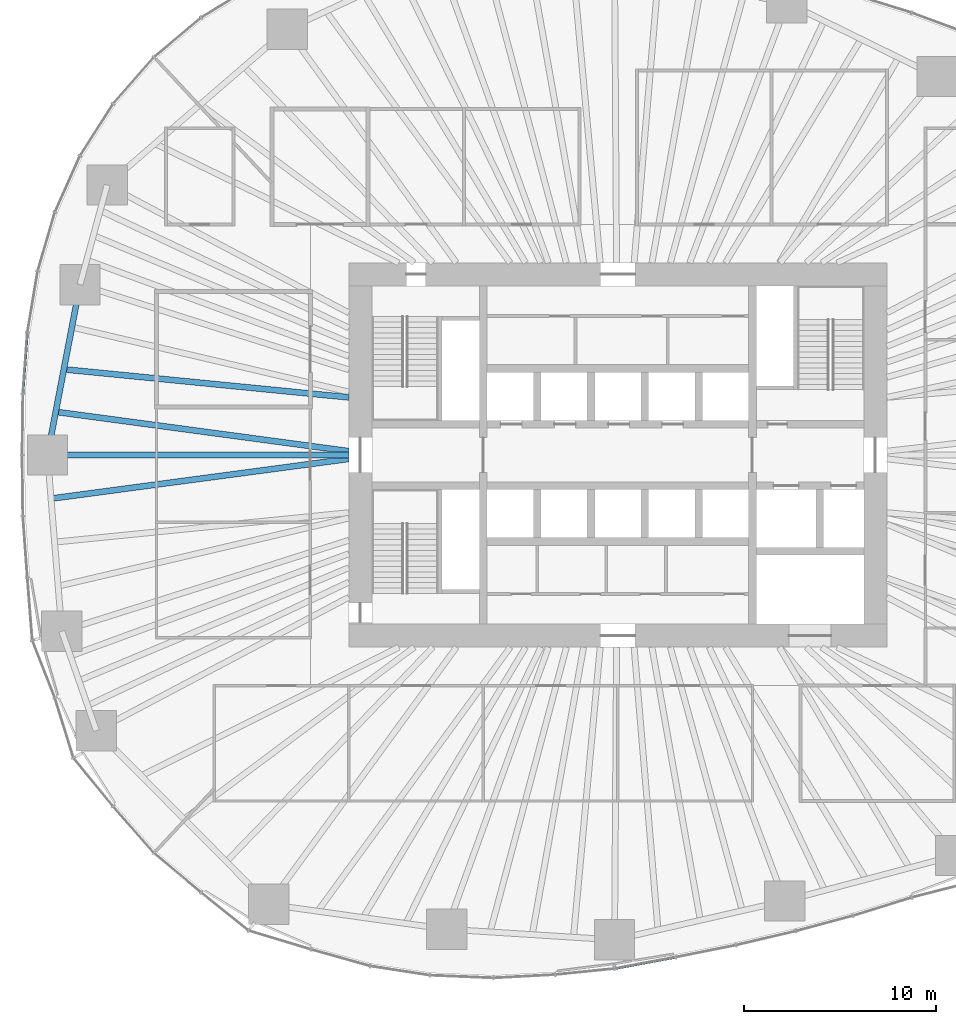
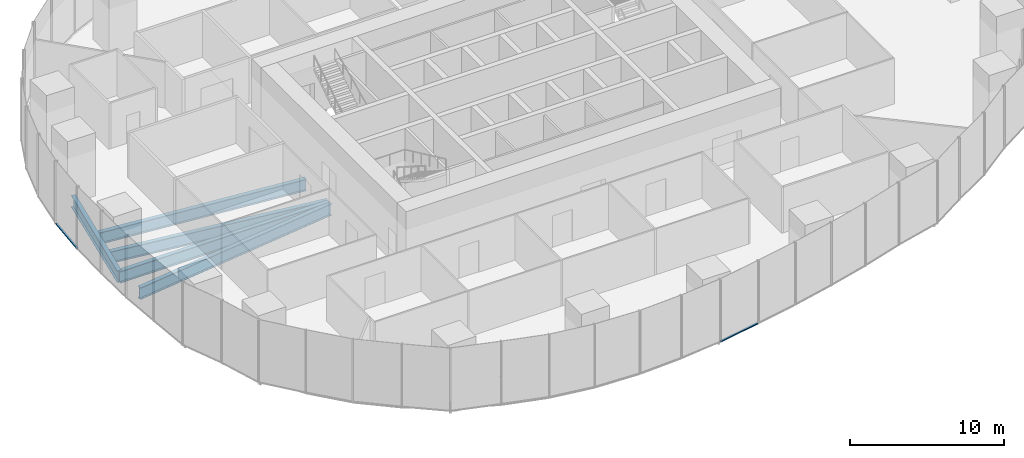
# One storey, part 3 of 20: 5 beams, 2 members, 2 elements without a shape of their own.
"""IFC4 building model written with IfcOpenShell, lengths in metres."""

from ifc_helpers import new_model, si_unit, direction, frame, origin, origin_2d, place, context, subcontext, project, spatial, rectangle, i_section, extrude, material, material_profile, profile_set, type_object, element, aggregate, save


model = new_model("IFC4")

# Units and contexts
model_context = context("Model", 3, precision=1e-05, world=origin(), true_north=direction((0.0, 1.0)))
body_context = subcontext(model_context, "Body", "Model", "MODEL_VIEW")
ifc_project = project(units=[si_unit("LENGTHUNIT", "METRE"), si_unit("AREAUNIT", "SQUARE_METRE"), si_unit("VOLUMEUNIT", "CUBIC_METRE"), si_unit("PLANEANGLEUNIT", "RADIAN"), si_unit("MASSUNIT", "GRAM", prefix="KILO")], contexts=[model_context])

# Site, building, storey
site_placement = place(None, origin())
site = spatial("IfcSite", under=ifc_project, at=site_placement, CompositionType="ELEMENT")
building_placement = place(site_placement, origin())
building = spatial("IfcBuilding", under=site, at=building_placement, Name="Ghaith Harvest Tower", CompositionType="ELEMENT")
storey_placement = place(building_placement, frame((0.0, 0.0, 45.0)))
storey = spatial("IfcBuildingStorey", under=building, at=storey_placement, Name="L09", CompositionType="ELEMENT", Elevation=45.0)

# Curtain wall, member
ifc_material_1 = material(Name="Black anodised aluminium and fritted glass", Category="aluminium")
curtain_wall_type = type_object("IfcCurtainWallType", Name="CW-F CURTAIN WALL", PredefinedType="NOTDEFINED", material=ifc_material_1)
curtain_wall_1_placement = place(storey_placement, origin())
curtain_wall_1 = element("IfcCurtainWall", 1, at=curtain_wall_1_placement, inside=storey, type_object=curtain_wall_type, Name="Curtain wall CW-F bay 10 L09", PredefinedType="NOTDEFINED")
ifc_material_2 = material(Name="Aluminium, black anodised", Category="aluminium")
ifc_material_profile_1 = material_profile(ifc_material_2, rectangle(XDim=0.139892578125, YDim=0.080078125, at=origin_2d()), Name="CW-F TRANSOM 140x80")
ifc_profile_set_1 = profile_set([ifc_material_profile_1], Name="Aluminium, black anodised")
member_type = type_object("IfcMemberType", Name="CW-F TRANSOM 140x80", PredefinedType="USERDEFINED", material=ifc_profile_set_1)
member_1_placement = place(storey_placement, frame((-30.72705078125, 6.335693359375, 0.0400390625), z_axis=(-0.072473547161, -0.997370334912, 0.0), x_axis=(0.997370334912, -0.072473547161, 0.0)))
member_1 = element("IfcMember", 2, at=member_1_placement, type_object=member_type, Name="CW-F transom 2 bay 10 L09", ObjectType="TRANSOM", PredefinedType="USERDEFINED", context=body_context, shape_type="SweptSolid", body=[
    extrude(rectangle(XDim=0.139892578125, YDim=0.080078125, at=origin_2d()), origin(), (0.0, 0.0, 1.0), 3.126220703125),
])
aggregate(curtain_wall_1, [member_1])

curtain_wall_2_placement = place(storey_placement, origin())
curtain_wall_2 = element("IfcCurtainWall", 3, at=curtain_wall_2_placement, inside=storey, type_object=curtain_wall_type, Name="Curtain wall CW-F bay 16 L09", PredefinedType="NOTDEFINED")
member_2_placement = place(storey_placement, frame((-0.1435546875, -26.709716796875, 0.0400390625), z_axis=(0.983139075124, 0.182859396706, 0.0), x_axis=(-0.182859396706, 0.983139075124, 0.0)))
member_2 = element("IfcMember", 4, at=member_2_placement, type_object=member_type, Name="CW-F transom 1 bay 16 L09", ObjectType="TRANSOM", PredefinedType="USERDEFINED", context=body_context, shape_type="SweptSolid", body=[
    extrude(rectangle(XDim=0.139892578125, YDim=0.080078125, at=origin_2d()), origin(), (0.0, 0.0, 1.0), 3.1669921875),
])
aggregate(curtain_wall_2, [member_2])

# Beams
ifc_material_3 = material(Name="Steel ASTM A992 Grade 50", Category="steel")
ifc_material_profile_2 = material_profile(ifc_material_3, i_section(OverallWidth=0.306884765625, OverallDepth=0.94189453125, WebThickness=0.022216796875, FlangeThickness=0.039794921875, at=origin_2d()), Name="W920X345")
ifc_profile_set_2 = profile_set([ifc_material_profile_2], Name="Steel ASTM A992 Grade 50")
beam_type_1 = type_object("IfcBeamType", Name="E920-345 W920X345", PredefinedType="SPANDREL", material=ifc_profile_set_2)
beam_1_placement = place(storey_placement, frame((-27.98291015625, 8.867919921875, -0.6708984375), z_axis=(-0.187433949108, -0.982277208695, 0.0), x_axis=(0.982277208695, -0.187433949108, 0.0)))
element("IfcBeam", 5, at=beam_1_placement, inside=storey, type_object=beam_type_1, Name="Edge beam E10 L09", PredefinedType="SPANDREL", context=body_context, shape_type="SweptSolid", body=[
    extrude(i_section(OverallWidth=0.306884765625, OverallDepth=0.94189453125, WebThickness=0.022216796875, FlangeThickness=0.039794921875, at=origin_2d()), origin(), (0.0, 0.0, 1.0), 9.02783203125),
])
ifc_material_4 = material(Name="Steel ASTM A992 Grade 50", Category="steel")
ifc_material_profile_3 = material_profile(ifc_material_4, i_section(OverallWidth=0.306884765625, OverallDepth=0.94189453125, WebThickness=0.022216796875, FlangeThickness=0.039794921875, at=origin_2d()), Name="W920X345")
ifc_profile_set_3 = profile_set([ifc_material_profile_3], Name="Steel ASTM A992 Grade 50")
beam_type_2 = type_object("IfcBeamType", Name="G920-345 W920X345", PredefinedType="BEAM", material=ifc_profile_set_3)
beam_2_placement = place(storey_placement, frame((-14.0, 0.0, -0.6708984375), z_axis=(-1.0, 0.0, 0.0), x_axis=(0.0, -1.0, 0.0)))
element("IfcBeam", 6, at=beam_2_placement, inside=storey, type_object=beam_type_2, Name="Radial girder G11 L09", PredefinedType="BEAM", context=body_context, shape_type="SweptSolid", body=[
    extrude(i_section(OverallWidth=0.306884765625, OverallDepth=0.94189453125, WebThickness=0.022216796875, FlangeThickness=0.039794921875, at=origin_2d()), origin(), (0.0, 0.0, 1.0), 15.675048828125),
])
ifc_material_5 = material(Name="Steel ASTM A992 Grade 50", Category="steel")
ifc_material_profile_4 = material_profile(ifc_material_5, i_section(OverallWidth=0.31005859375, OverallDepth=0.927001953125, WebThickness=0.019287109375, FlangeThickness=0.031982421875, at=origin_2d()), Name="W920X289")
ifc_profile_set_4 = profile_set([ifc_material_profile_4], Name="Steel ASTM A992 Grade 50")
beam_type_3 = type_object("IfcBeamType", Name="J920-289 W920X289", PredefinedType="JOIST", material=ifc_profile_set_4)
beam_3_placement = place(storey_placement, frame((-14.0, 3.0, -0.66357421875), z_axis=(-0.995196704135, 0.097895454848, 0.0), x_axis=(-0.097895454848, -0.995196704135, 0.0)))
element("IfcBeam", 7, at=beam_3_placement, inside=storey, type_object=beam_type_3, Name="Joist J10.2 L09", PredefinedType="JOIST", context=body_context, shape_type="SweptSolid", body=[
    extrude(i_section(OverallWidth=0.31005859375, OverallDepth=0.927001953125, WebThickness=0.019287109375, FlangeThickness=0.031982421875, at=origin_2d()), origin(), (0.0, 0.0, 1.0), 14.89599609375),
])
beam_4_placement = place(storey_placement, frame((-14.0, 0.199951171875, -0.66357421875), z_axis=(-0.991095171591, 0.133155401128, 0.0), x_axis=(-0.133155401128, -0.991095171591, 0.0)))
element("IfcBeam", 8, at=beam_4_placement, inside=storey, type_object=beam_type_3, Name="Joist J10.3 L09", PredefinedType="JOIST", context=body_context, shape_type="SweptSolid", body=[
    extrude(i_section(OverallWidth=0.31005859375, OverallDepth=0.927001953125, WebThickness=0.019287109375, FlangeThickness=0.031982421875, at=origin_2d()), origin(), (0.0, 0.0, 1.0), 15.383056640625),
])
beam_5_placement = place(storey_placement, frame((-14.0, -0.199951171875, -0.66357421875), z_axis=(-0.991213569042, -0.132271162948, 0.0), x_axis=(0.132271162948, -0.991213569042, 0.0)))
element("IfcBeam", 9, at=beam_5_placement, inside=storey, type_object=beam_type_3, Name="Joist J11.1 L09", PredefinedType="JOIST", context=body_context, shape_type="SweptSolid", body=[
    extrude(i_section(OverallWidth=0.31005859375, OverallDepth=0.927001953125, WebThickness=0.019287109375, FlangeThickness=0.031982421875, at=origin_2d()), origin(), (0.0, 0.0, 1.0), 15.6279296875),
])

save(model, "model.ifc")
